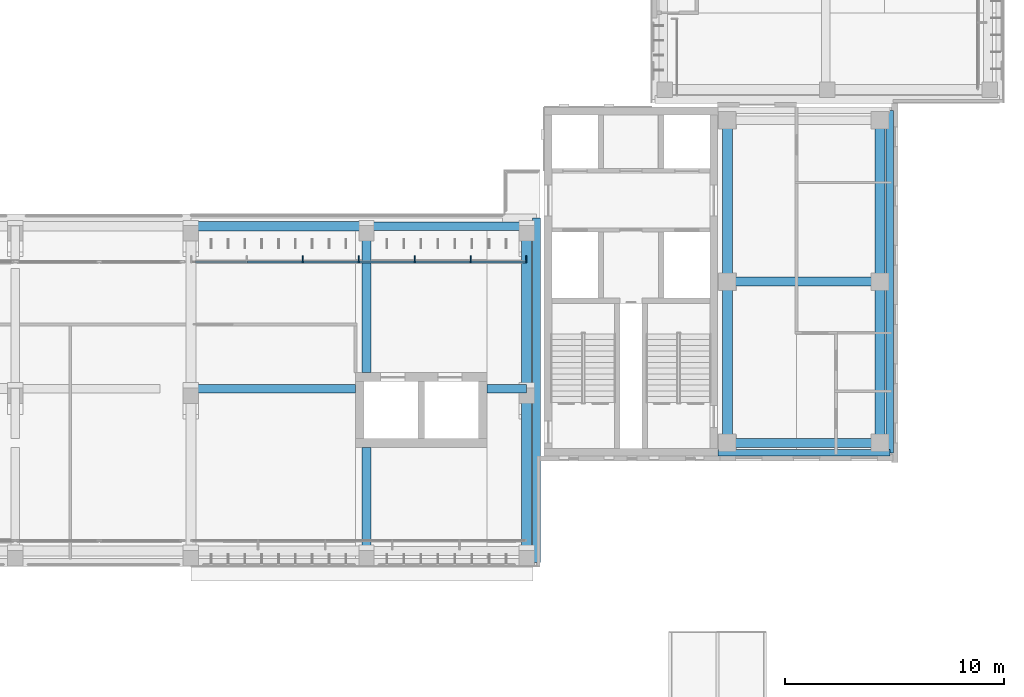
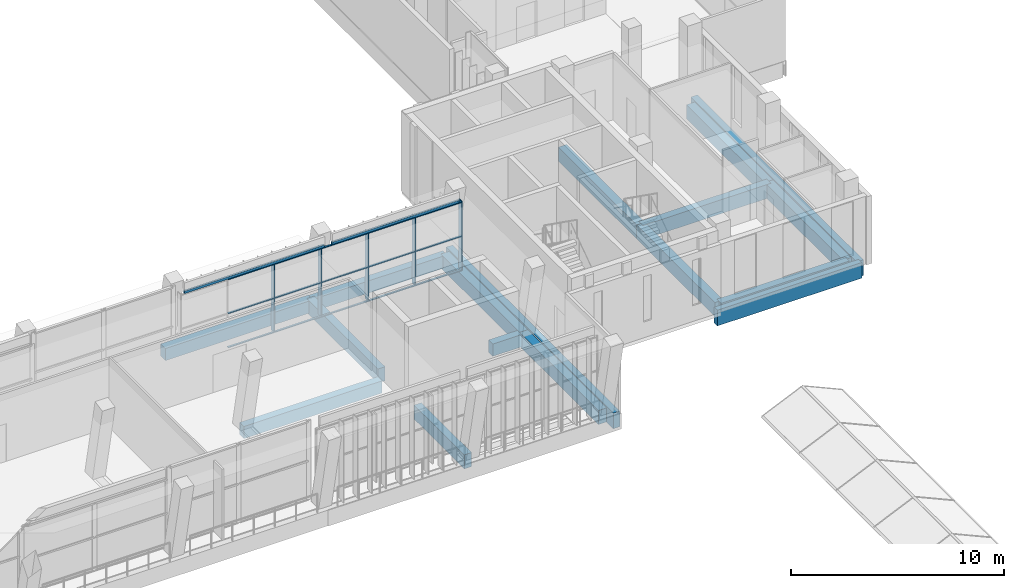
# One storey, part 12 of 73: 20 members, 19 beams, 1 element without a shape of its own.
"""IFC4 building model written with IfcOpenShell, lengths in metres."""

from ifc_helpers import new_model, si_unit, direction, frame, origin, origin_2d, place, context, subcontext, project, spatial, rectangle, hollow_rectangle, extrude, material, material_profile, profile_set, type_object, element, aggregate, save


model = new_model("IFC4")

# Units and contexts
model_context = context("Model", 3, precision=1e-05, world=origin(), true_north=direction((0.0, 1.0)))
body_context = subcontext(model_context, "Body", "Model", "MODEL_VIEW")
ifc_project = project(units=[si_unit("LENGTHUNIT", "METRE"), si_unit("AREAUNIT", "SQUARE_METRE"), si_unit("VOLUMEUNIT", "CUBIC_METRE"), si_unit("PLANEANGLEUNIT", "RADIAN"), si_unit("MASSUNIT", "GRAM", prefix="KILO")], contexts=[model_context])

# Site, building, storey
site_placement = place(None, origin())
site = spatial("IfcSite", under=ifc_project, at=site_placement, CompositionType="ELEMENT")
building_placement = place(site_placement, origin())
building = spatial("IfcBuilding", under=site, at=building_placement, Name="Lantern Court Media Centre", CompositionType="ELEMENT")
storey_placement = place(building_placement, frame((0.0, 0.0, 24.0)))
storey = spatial("IfcBuildingStorey", under=building, at=storey_placement, Name="L05", CompositionType="ELEMENT", Elevation=24.0)

# Curtain wall, members
ifc_material_1 = material(Name="Curtain wall bay 2400")
curtain_wall_type = type_object("IfcCurtainWallType", Name="Curtain wall bay 2400", PredefinedType="NOTDEFINED", material=ifc_material_1)
curtain_wall_placement = place(storey_placement, origin())
curtain_wall = element("IfcCurtainWall", 1, at=curtain_wall_placement, inside=storey, type_object=curtain_wall_type, Name="Curtain wall S inner L05", PredefinedType="NOTDEFINED")
ifc_material_2 = material(Name="Anodised aluminium", Category="aluminium")
ifc_material_profile_1 = material_profile(ifc_material_2, rectangle(XDim=0.300048828125, YDim=0.050048828125, at=origin_2d()), Name="AL 50x300")
ifc_profile_set_1 = profile_set([ifc_material_profile_1], Name="Anodised aluminium")
member_type_1 = type_object("IfcMemberType", Name="Curtain wall mullion 50x300", PredefinedType="MULLION", material=ifc_profile_set_1)
member_1_placement = place(storey_placement, frame((69.10009765625, 56.969970703125, 0.0), z_axis=(0.0, 0.0, 1.0), x_axis=(0.0, 1.0, 0.0)))
member_1 = element("IfcMember", 2, at=member_1_placement, type_object=member_type_1, Name="CW2 mullion 3", PredefinedType="MULLION", context=body_context, shape_type="SweptSolid", body=[
    extrude(rectangle(XDim=0.300048828125, YDim=0.050048828125, at=origin_2d()), origin(), (0.0, 0.0, 1.0), 3.949951171875),
])
member_2_placement = place(storey_placement, frame((71.64990234375, 56.969970703125, 0.0), z_axis=(0.0, 0.0, 1.0), x_axis=(0.0, 1.0, 0.0)))
member_2 = element("IfcMember", 3, at=member_2_placement, type_object=member_type_1, Name="CW2 mullion 4", PredefinedType="MULLION", context=body_context, shape_type="SweptSolid", body=[
    extrude(rectangle(XDim=0.300048828125, YDim=0.050048828125, at=origin_2d()), origin(), (0.0, 0.0, 1.0), 3.949951171875),
])
member_3_placement = place(storey_placement, frame((74.199951171875, 56.969970703125, 0.0), z_axis=(0.0, 0.0, 1.0), x_axis=(0.0, 1.0, 0.0)))
member_3 = element("IfcMember", 4, at=member_3_placement, type_object=member_type_1, Name="CW2 mullion 5", PredefinedType="MULLION", context=body_context, shape_type="SweptSolid", body=[
    extrude(rectangle(XDim=0.300048828125, YDim=0.050048828125, at=origin_2d()), origin(), (0.0, 0.0, 1.0), 3.949951171875),
])
member_4_placement = place(storey_placement, frame((76.75, 56.969970703125, 0.0), z_axis=(0.0, 0.0, 1.0), x_axis=(0.0, 1.0, 0.0)))
member_4 = element("IfcMember", 5, at=member_4_placement, type_object=member_type_1, Name="CW2 mullion 6", PredefinedType="MULLION", context=body_context, shape_type="SweptSolid", body=[
    extrude(rectangle(XDim=0.300048828125, YDim=0.050048828125, at=origin_2d()), origin(), (0.0, 0.0, 1.0), 3.949951171875),
])
member_5_placement = place(storey_placement, frame((79.27490234375, 56.969970703125, 0.0), z_axis=(0.0, 0.0, 1.0), x_axis=(0.0, 1.0, 0.0)))
member_5 = element("IfcMember", 6, at=member_5_placement, type_object=member_type_1, Name="CW2 mullion 7", PredefinedType="MULLION", context=body_context, shape_type="SweptSolid", body=[
    extrude(rectangle(XDim=0.300048828125, YDim=0.050048828125, at=origin_2d()), origin(), (0.0, 0.0, 1.0), 3.949951171875),
])
ifc_material_profile_2 = material_profile(ifc_material_2, rectangle(XDim=0.10009765625, YDim=0.050048828125, at=origin_2d()), Name="AL 50x100")
ifc_profile_set_2 = profile_set([ifc_material_profile_2], Name="Anodised aluminium")
member_type_2 = type_object("IfcMemberType", Name="Curtain wall transom 100x50", PredefinedType="USERDEFINED", material=ifc_profile_set_2)
member_6_placement = place(storey_placement, frame((66.574951171875, 56.85009765625, 0.02490234375), z_axis=(1.0, 0.0, 0.0), x_axis=(0.0, 1.0, 0.0)))
member_6 = element("IfcMember", 7, at=member_6_placement, type_object=member_type_2, Name="CW2 transom 2.1", ObjectType="TRANSOM", PredefinedType="USERDEFINED", context=body_context, shape_type="SweptSolid", body=[
    extrude(rectangle(XDim=0.10009765625, YDim=0.050048828125, at=origin_2d()), origin(), (0.0, 0.0, 1.0), 2.5),
])
member_7_placement = place(storey_placement, frame((66.574951171875, 56.85009765625, 1.97509765625), z_axis=(1.0, 0.0, 0.0), x_axis=(0.0, 1.0, 0.0)))
member_7 = element("IfcMember", 8, at=member_7_placement, type_object=member_type_2, Name="CW2 transom 2.2", ObjectType="TRANSOM", PredefinedType="USERDEFINED", context=body_context, shape_type="SweptSolid", body=[
    extrude(rectangle(XDim=0.10009765625, YDim=0.050048828125, at=origin_2d()), origin(), (0.0, 0.0, 1.0), 2.5),
])
member_8_placement = place(storey_placement, frame((66.574951171875, 56.85009765625, 3.925048828125), z_axis=(1.0, 0.0, 0.0), x_axis=(0.0, 1.0, 0.0)))
member_8 = element("IfcMember", 9, at=member_8_placement, type_object=member_type_2, Name="CW2 transom 2.3", ObjectType="TRANSOM", PredefinedType="USERDEFINED", context=body_context, shape_type="SweptSolid", body=[
    extrude(rectangle(XDim=0.10009765625, YDim=0.050048828125, at=origin_2d()), origin(), (0.0, 0.0, 1.0), 2.5),
])
member_9_placement = place(storey_placement, frame((69.125, 56.85009765625, 0.02490234375), z_axis=(1.0, 0.0, 0.0), x_axis=(0.0, 1.0, 0.0)))
member_9 = element("IfcMember", 10, at=member_9_placement, type_object=member_type_2, Name="CW2 transom 3.1", ObjectType="TRANSOM", PredefinedType="USERDEFINED", context=body_context, shape_type="SweptSolid", body=[
    extrude(rectangle(XDim=0.10009765625, YDim=0.050048828125, at=origin_2d()), origin(), (0.0, 0.0, 1.0), 2.5),
])
member_10_placement = place(storey_placement, frame((69.125, 56.85009765625, 1.97509765625), z_axis=(1.0, 0.0, 0.0), x_axis=(0.0, 1.0, 0.0)))
member_10 = element("IfcMember", 11, at=member_10_placement, type_object=member_type_2, Name="CW2 transom 3.2", ObjectType="TRANSOM", PredefinedType="USERDEFINED", context=body_context, shape_type="SweptSolid", body=[
    extrude(rectangle(XDim=0.10009765625, YDim=0.050048828125, at=origin_2d()), origin(), (0.0, 0.0, 1.0), 2.5),
])
member_11_placement = place(storey_placement, frame((69.125, 56.85009765625, 3.925048828125), z_axis=(1.0, 0.0, 0.0), x_axis=(0.0, 1.0, 0.0)))
member_11 = element("IfcMember", 12, at=member_11_placement, type_object=member_type_2, Name="CW2 transom 3.3", ObjectType="TRANSOM", PredefinedType="USERDEFINED", context=body_context, shape_type="SweptSolid", body=[
    extrude(rectangle(XDim=0.10009765625, YDim=0.050048828125, at=origin_2d()), origin(), (0.0, 0.0, 1.0), 2.5),
])
member_12_placement = place(storey_placement, frame((71.675048828125, 56.85009765625, 0.02490234375), z_axis=(1.0, 0.0, 0.0), x_axis=(0.0, 1.0, 0.0)))
member_12 = element("IfcMember", 13, at=member_12_placement, type_object=member_type_2, Name="CW2 transom 4.1", ObjectType="TRANSOM", PredefinedType="USERDEFINED", context=body_context, shape_type="SweptSolid", body=[
    extrude(rectangle(XDim=0.10009765625, YDim=0.050048828125, at=origin_2d()), origin(), (0.0, 0.0, 1.0), 2.5),
])
member_13_placement = place(storey_placement, frame((71.675048828125, 56.85009765625, 1.97509765625), z_axis=(1.0, 0.0, 0.0), x_axis=(0.0, 1.0, 0.0)))
member_13 = element("IfcMember", 14, at=member_13_placement, type_object=member_type_2, Name="CW2 transom 4.2", ObjectType="TRANSOM", PredefinedType="USERDEFINED", context=body_context, shape_type="SweptSolid", body=[
    extrude(rectangle(XDim=0.10009765625, YDim=0.050048828125, at=origin_2d()), origin(), (0.0, 0.0, 1.0), 2.5),
])
member_14_placement = place(storey_placement, frame((71.675048828125, 56.85009765625, 3.925048828125), z_axis=(1.0, 0.0, 0.0), x_axis=(0.0, 1.0, 0.0)))
member_14 = element("IfcMember", 15, at=member_14_placement, type_object=member_type_2, Name="CW2 transom 4.3", ObjectType="TRANSOM", PredefinedType="USERDEFINED", context=body_context, shape_type="SweptSolid", body=[
    extrude(rectangle(XDim=0.10009765625, YDim=0.050048828125, at=origin_2d()), origin(), (0.0, 0.0, 1.0), 2.5),
])
member_15_placement = place(storey_placement, frame((74.22509765625, 56.85009765625, 0.02490234375), z_axis=(1.0, 0.0, 0.0), x_axis=(0.0, 1.0, 0.0)))
member_15 = element("IfcMember", 16, at=member_15_placement, type_object=member_type_2, Name="CW2 transom 5.1", ObjectType="TRANSOM", PredefinedType="USERDEFINED", context=body_context, shape_type="SweptSolid", body=[
    extrude(rectangle(XDim=0.10009765625, YDim=0.050048828125, at=origin_2d()), origin(), (0.0, 0.0, 1.0), 2.5),
])
member_16_placement = place(storey_placement, frame((74.22509765625, 56.85009765625, 1.97509765625), z_axis=(1.0, 0.0, 0.0), x_axis=(0.0, 1.0, 0.0)))
member_16 = element("IfcMember", 17, at=member_16_placement, type_object=member_type_2, Name="CW2 transom 5.2", ObjectType="TRANSOM", PredefinedType="USERDEFINED", context=body_context, shape_type="SweptSolid", body=[
    extrude(rectangle(XDim=0.10009765625, YDim=0.050048828125, at=origin_2d()), origin(), (0.0, 0.0, 1.0), 2.5),
])
member_17_placement = place(storey_placement, frame((74.22509765625, 56.85009765625, 3.925048828125), z_axis=(1.0, 0.0, 0.0), x_axis=(0.0, 1.0, 0.0)))
member_17 = element("IfcMember", 18, at=member_17_placement, type_object=member_type_2, Name="CW2 transom 5.3", ObjectType="TRANSOM", PredefinedType="USERDEFINED", context=body_context, shape_type="SweptSolid", body=[
    extrude(rectangle(XDim=0.10009765625, YDim=0.050048828125, at=origin_2d()), origin(), (0.0, 0.0, 1.0), 2.5),
])
member_18_placement = place(storey_placement, frame((76.77490234375, 56.85009765625, 0.02490234375), z_axis=(1.0, 0.0, 0.0), x_axis=(0.0, 1.0, 0.0)))
member_18 = element("IfcMember", 19, at=member_18_placement, type_object=member_type_2, Name="CW2 transom 6.1", ObjectType="TRANSOM", PredefinedType="USERDEFINED", context=body_context, shape_type="SweptSolid", body=[
    extrude(rectangle(XDim=0.10009765625, YDim=0.050048828125, at=origin_2d()), origin(), (0.0, 0.0, 1.0), 2.47509765625),
])
member_19_placement = place(storey_placement, frame((76.77490234375, 56.85009765625, 1.97509765625), z_axis=(1.0, 0.0, 0.0), x_axis=(0.0, 1.0, 0.0)))
member_19 = element("IfcMember", 20, at=member_19_placement, type_object=member_type_2, Name="CW2 transom 6.2", ObjectType="TRANSOM", PredefinedType="USERDEFINED", context=body_context, shape_type="SweptSolid", body=[
    extrude(rectangle(XDim=0.10009765625, YDim=0.050048828125, at=origin_2d()), origin(), (0.0, 0.0, 1.0), 2.47509765625),
])
member_20_placement = place(storey_placement, frame((76.77490234375, 56.85009765625, 3.925048828125), z_axis=(1.0, 0.0, 0.0), x_axis=(0.0, 1.0, 0.0)))
member_20 = element("IfcMember", 21, at=member_20_placement, type_object=member_type_2, Name="CW2 transom 6.3", ObjectType="TRANSOM", PredefinedType="USERDEFINED", context=body_context, shape_type="SweptSolid", body=[
    extrude(rectangle(XDim=0.10009765625, YDim=0.050048828125, at=origin_2d()), origin(), (0.0, 0.0, 1.0), 2.47509765625),
])
aggregate(curtain_wall, [member_1, member_2, member_3, member_4, member_5, member_6, member_7, member_8, member_9, member_10, member_11, member_12, member_13, member_14, member_15, member_16, member_17, member_18, member_19, member_20])

# Beams
ifc_material_3 = material(Name="Steel S355J2 (EN 10025-2)", Category="steel")
ifc_material_profile_3 = material_profile(ifc_material_3, hollow_rectangle(XDim=0.10009765625, YDim=0.14990234375, WallThickness=0.00634765625, InnerFilletRadius=0.00634765625, OuterFilletRadius=0.009521484375, at=origin_2d()), Name="Facade head lintel RHS 150x100x6.3")
ifc_profile_set_3 = profile_set([ifc_material_profile_3], Name="Steel S355J2 (EN 10025-2)")
beam_type_1 = type_object("IfcBeamType", Name="Facade head lintel RHS 150x100x6.3", PredefinedType="BEAM", material=ifc_profile_set_3)
beam_1_placement = place(storey_placement, frame((64.199951171875, 56.85009765625, 4.02490234375), z_axis=(1.0, 0.0, 0.0), x_axis=(0.0, 1.0, 0.0)))
element("IfcBeam", 22, at=beam_1_placement, inside=storey, type_object=beam_type_1, Name="Facade head lintel S L05", PredefinedType="BEAM", context=body_context, shape_type="SweptSolid", body=[
    extrude(hollow_rectangle(XDim=0.10009765625, YDim=0.14990234375, WallThickness=0.00634765625, InnerFilletRadius=0.00634765625, OuterFilletRadius=0.009521484375, at=origin_2d()), origin(), (0.0, 0.0, 1.0), 7.60009765625),
])
beam_2_placement = place(storey_placement, frame((72.199951171875, 56.85009765625, 4.02490234375), z_axis=(1.0, 0.0, 0.0), x_axis=(0.0, 1.0, 0.0)))
element("IfcBeam", 23, at=beam_2_placement, inside=storey, type_object=beam_type_1, Name="Facade head lintel S L05", PredefinedType="BEAM", context=body_context, shape_type="SweptSolid", body=[
    extrude(hollow_rectangle(XDim=0.10009765625, YDim=0.14990234375, WallThickness=0.00634765625, InnerFilletRadius=0.00634765625, OuterFilletRadius=0.009521484375, at=origin_2d()), origin(), (0.0, 0.0, 1.0), 6.900146484375),
])
ifc_material_4 = material(Name="Concrete C35", Category="concrete")
ifc_material_profile_4 = material_profile(ifc_material_4, rectangle(XDim=0.300048828125, YDim=0.89990234375, at=origin_2d()), Name="RC 300x900")
ifc_profile_set_4 = profile_set([ifc_material_profile_4], Name="Concrete C35")
beam_type_2 = type_object("IfcBeamType", Name="RC BEAM 300x900", PredefinedType="BEAM", material=ifc_profile_set_4)
beam_3_placement = place(storey_placement, frame((88.02001953125, 48.14990234375, -0.449951171875), z_axis=(1.0, 0.0, 0.0), x_axis=(0.0, 1.0, 0.0)))
element("IfcBeam", 24, at=beam_3_placement, inside=storey, type_object=beam_type_2, Name="EB-SE-L05-S", PredefinedType="BEAM", context=body_context, shape_type="SweptSolid", body=[
    extrude(rectangle(XDim=0.300048828125, YDim=0.89990234375, at=origin_2d()), origin(), (0.0, 0.0, 1.0), 7.830078125),
])
ifc_material_profile_5 = material_profile(ifc_material_4, rectangle(XDim=0.35009765625, YDim=0.89990234375, at=origin_2d()), Name="RC 350x900")
ifc_profile_set_5 = profile_set([ifc_material_profile_5], Name="Concrete C35")
beam_type_3 = type_object("IfcBeamType", Name="RC BEAM 350x900", PredefinedType="BEAM", material=ifc_profile_set_5)
beam_4_placement = place(storey_placement, frame((95.85009765625, 48.14990234375, -0.449951171875), z_axis=(0.0, 1.0, 0.0), x_axis=(-1.0, 0.0, 0.0)))
element("IfcBeam", 25, at=beam_4_placement, inside=storey, type_object=beam_type_3, Name="EB-SE-L05-E", PredefinedType="BEAM", context=body_context, shape_type="SweptSolid", body=[
    extrude(rectangle(XDim=0.35009765625, YDim=0.89990234375, at=origin_2d()), origin(), (0.0, 0.0, 1.0), 15.60009765625),
])
beam_5_placement = place(storey_placement, frame((79.75, 43.14990234375, -0.449951171875), z_axis=(0.0, 1.0, 0.0), x_axis=(-1.0, 0.0, 0.0)))
element("IfcBeam", 26, at=beam_5_placement, inside=storey, type_object=beam_type_3, Name="EB-S-L05-D", PredefinedType="BEAM", context=body_context, shape_type="SweptSolid", body=[
    extrude(rectangle(XDim=0.35009765625, YDim=0.89990234375, at=origin_2d()), origin(), (0.0, 0.0, 1.0), 15.7001953125),
])
ifc_material_profile_6 = material_profile(ifc_material_4, rectangle(XDim=0.39990234375, YDim=0.699951171875, at=origin_2d()), Name="RC 400x700")
ifc_profile_set_6 = profile_set([ifc_material_profile_6], Name="Concrete C35")
beam_type_4 = type_object("IfcBeamType", Name="RC BEAM 400x700", PredefinedType="BEAM", material=ifc_profile_set_6)
beam_6_placement = place(storey_placement, frame((64.0, 51.072998046875, -0.35009765625), z_axis=(1.0, 0.0, 0.0), x_axis=(0.0, 1.0, 0.0)))
element("IfcBeam", 27, at=beam_6_placement, inside=storey, type_object=beam_type_4, Name="LB-S-L05-1-5", PredefinedType="BEAM", context=body_context, shape_type="SweptSolid", body=[
    extrude(rectangle(XDim=0.39990234375, YDim=0.699951171875, at=origin_2d()), origin(), (0.0, 0.0, 1.0), 7.5),
])
beam_7_placement = place(storey_placement, frame((77.5, 51.072998046875, -0.35009765625), z_axis=(1.0, 0.0, 0.0), x_axis=(0.0, 1.0, 0.0)))
element("IfcBeam", 28, at=beam_7_placement, inside=storey, type_object=beam_type_4, Name="LB-S-L05-1-51", PredefinedType="BEAM", context=body_context, shape_type="SweptSolid", body=[
    extrude(rectangle(XDim=0.39990234375, YDim=0.699951171875, at=origin_2d()), origin(), (0.0, 0.0, 1.0), 1.800048828125),
])
beam_8_placement = place(storey_placement, frame((72.0, 58.472900390625, -0.35009765625), z_axis=(1.0, 0.0, 0.0), x_axis=(0.0, 1.0, 0.0)))
element("IfcBeam", 29, at=beam_8_placement, inside=storey, type_object=beam_type_4, Name="LB-S-L05-2-6", PredefinedType="BEAM", context=body_context, shape_type="SweptSolid", body=[
    extrude(rectangle(XDim=0.39990234375, YDim=0.699951171875, at=origin_2d()), origin(), (0.0, 0.0, 1.0), 7.300048828125),
])
ifc_material_profile_7 = material_profile(ifc_material_4, rectangle(XDim=0.39990234375, YDim=0.800048828125, at=origin_2d()), Name="RC 400x800")
ifc_profile_set_7 = profile_set([ifc_material_profile_7], Name="Concrete C35")
beam_type_5 = type_object("IfcBeamType", Name="RC BEAM 400x800", PredefinedType="BEAM", material=ifc_profile_set_7)
for number, where, z_axis, x_axis, name in (
    (30, (88.449951171875, 48.60009765625, -0.39990234375), (1.0, 0.0, 0.0), (0.0, 1.0, 0.0), "BB-SE-L05-Y0-48"),
    (31, (88.449951171875, 55.949951171875, -0.39990234375), (1.0, 0.0, 0.0), (0.0, 1.0, 0.0), "BB-SE-L05-Y0-55"),
):
    element("IfcBeam", number, at=place(storey_placement, frame(where, z_axis=z_axis, x_axis=x_axis)), inside=storey, type_object=beam_type_5, Name=name, PredefinedType="BEAM", context=body_context, shape_type="SweptSolid", body=[
        extrude(rectangle(XDim=0.39990234375, YDim=0.800048828125, at=origin_2d()), origin(), (0.0, 0.0, 1.0), 6.949951171875),
    ])
beam_9_placement = place(storey_placement, frame((72.0, 43.683349609375, -0.39990234375), z_axis=(0.0, 1.0, 0.0), x_axis=(-1.0, 0.0, 0.0)))
element("IfcBeam", 32, at=beam_9_placement, inside=storey, type_object=beam_type_5, Name="TB-S-L05-6-1", PredefinedType="BEAM", context=body_context, shape_type="SweptSolid", body=[
    extrude(rectangle(XDim=0.39990234375, YDim=0.800048828125, at=origin_2d()), origin(), (0.0, 0.0, 1.0), 4.716552734375),
])
beam_10_placement = place(storey_placement, frame((72.0, 51.800048828125, -0.39990234375), z_axis=(0.0, 1.0, 0.0), x_axis=(-1.0, 0.0, 0.0)))
element("IfcBeam", 33, at=beam_10_placement, inside=storey, type_object=beam_type_5, Name="TB-S-L05-6-11", PredefinedType="BEAM", context=body_context, shape_type="SweptSolid", body=[
    extrude(rectangle(XDim=0.39990234375, YDim=0.800048828125, at=origin_2d()), origin(), (0.0, 0.0, 1.0), 6.683349609375),
])
ifc_material_profile_8 = material_profile(ifc_material_4, rectangle(XDim=0.449951171875, YDim=0.699951171875, at=origin_2d()), Name="RC 450x700")
ifc_profile_set_8 = profile_set([ifc_material_profile_8], Name="Concrete C35")
beam_type_6 = type_object("IfcBeamType", Name="RC BEAM 450x700", PredefinedType="BEAM", material=ifc_profile_set_8)
beam_11_placement = place(storey_placement, frame((64.0, 58.472900390625, -0.35009765625), z_axis=(1.0, 0.0, 0.0), x_axis=(0.0, 1.0, 0.0)))
element("IfcBeam", 34, at=beam_11_placement, inside=storey, type_object=beam_type_6, Name="LB-S-L05-2-5", PredefinedType="BEAM", context=body_context, shape_type="SweptSolid", body=[
    extrude(rectangle(XDim=0.449951171875, YDim=0.699951171875, at=origin_2d()), origin(), (0.0, 0.0, 1.0), 8.0),
])
ifc_material_profile_9 = material_profile(ifc_material_4, rectangle(XDim=0.449951171875, YDim=0.800048828125, at=origin_2d()), Name="RC 450x800")
ifc_profile_set_9 = profile_set([ifc_material_profile_9], Name="Concrete C35")
beam_type_7 = type_object("IfcBeamType", Name="RC BEAM 450x800", PredefinedType="BEAM", material=ifc_profile_set_9)
beam_12_placement = place(storey_placement, frame((88.449951171875, 48.60009765625, -0.39990234375), z_axis=(0.0, 1.0, 0.0), x_axis=(-1.0, 0.0, 0.0)))
element("IfcBeam", 35, at=beam_12_placement, inside=storey, type_object=beam_type_7, Name="BB-SE-L05-X0-88", PredefinedType="BEAM", context=body_context, shape_type="SweptSolid", body=[
    extrude(rectangle(XDim=0.449951171875, YDim=0.800048828125, at=origin_2d()), origin(), (0.0, 0.0, 1.0), 7.349853515625),
])
beam_13_placement = place(storey_placement, frame((88.449951171875, 55.949951171875, -0.39990234375), z_axis=(0.0, 1.0, 0.0), x_axis=(-1.0, 0.0, 0.0)))
element("IfcBeam", 36, at=beam_13_placement, inside=storey, type_object=beam_type_7, Name="BB-SE-L05-X1-88", PredefinedType="BEAM", context=body_context, shape_type="SweptSolid", body=[
    extrude(rectangle(XDim=0.449951171875, YDim=0.800048828125, at=origin_2d()), origin(), (0.0, 0.0, 1.0), 7.35009765625),
])
beam_14_placement = place(storey_placement, frame((95.39990234375, 48.60009765625, -0.39990234375), z_axis=(0.0, 1.0, 0.0), x_axis=(-1.0, 0.0, 0.0)))
element("IfcBeam", 37, at=beam_14_placement, inside=storey, type_object=beam_type_7, Name="BB-SE-L05-X0-95", PredefinedType="BEAM", context=body_context, shape_type="SweptSolid", body=[
    extrude(rectangle(XDim=0.449951171875, YDim=0.800048828125, at=origin_2d()), origin(), (0.0, 0.0, 1.0), 7.349853515625),
])
beam_15_placement = place(storey_placement, frame((95.39990234375, 55.949951171875, -0.39990234375), z_axis=(0.0, 1.0, 0.0), x_axis=(-1.0, 0.0, 0.0)))
element("IfcBeam", 38, at=beam_15_placement, inside=storey, type_object=beam_type_7, Name="BB-SE-L05-X1-95", PredefinedType="BEAM", context=body_context, shape_type="SweptSolid", body=[
    extrude(rectangle(XDim=0.449951171875, YDim=0.800048828125, at=origin_2d()), origin(), (0.0, 0.0, 1.0), 7.35009765625),
])
beam_16_placement = place(storey_placement, frame((79.300048828125, 43.683349609375, -0.39990234375), z_axis=(0.0, 1.0, 0.0), x_axis=(-1.0, 0.0, 0.0)))
element("IfcBeam", 39, at=beam_16_placement, inside=storey, type_object=beam_type_7, Name="TB-S-L05-7-1", PredefinedType="BEAM", context=body_context, shape_type="SweptSolid", body=[
    extrude(rectangle(XDim=0.449951171875, YDim=0.800048828125, at=origin_2d()), origin(), (0.0, 0.0, 1.0), 7.39990234375),
])
beam_17_placement = place(storey_placement, frame((79.300048828125, 51.083251953125, -0.39990234375), z_axis=(0.0, 1.0, 0.0), x_axis=(-1.0, 0.0, 0.0)))
element("IfcBeam", 40, at=beam_17_placement, inside=storey, type_object=beam_type_7, Name="TB-S-L05-7-2", PredefinedType="BEAM", context=body_context, shape_type="SweptSolid", body=[
    extrude(rectangle(XDim=0.449951171875, YDim=0.800048828125, at=origin_2d()), origin(), (0.0, 0.0, 1.0), 7.400146484375),
])

save(model, "model.ifc")
